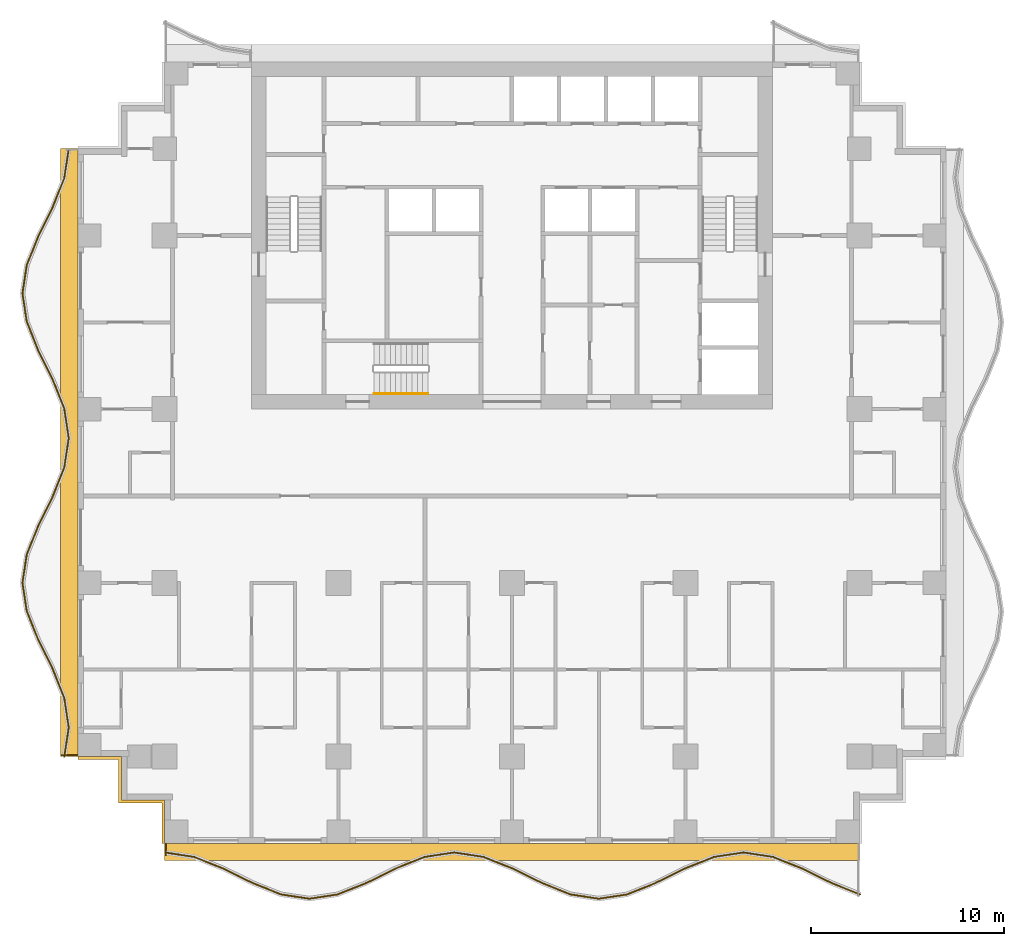
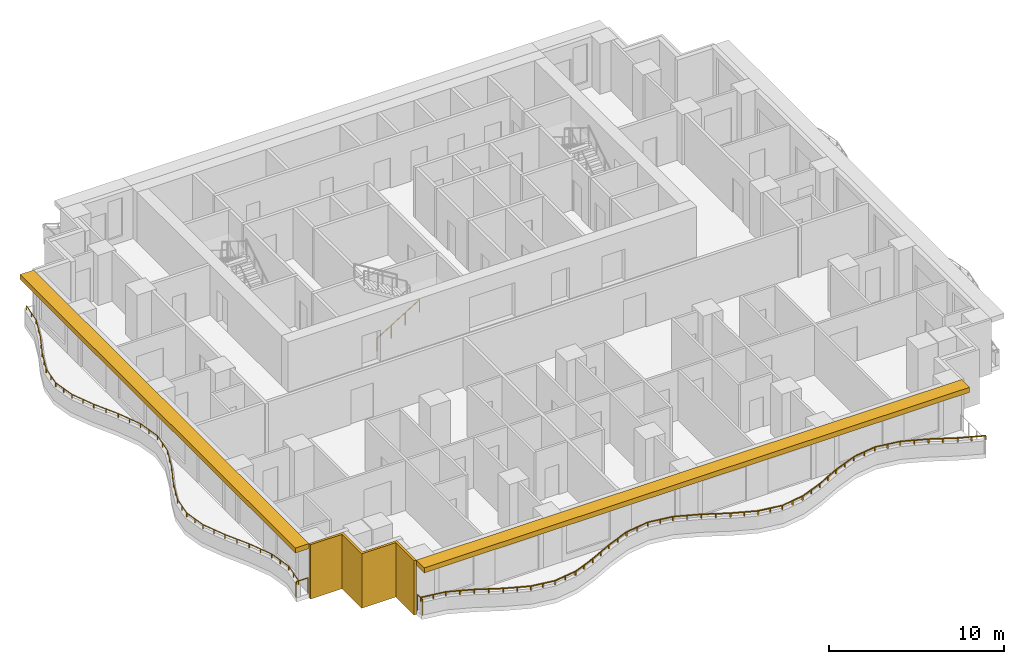
# One storey, part 7 of 10: 5 railings, 3 shading devices.
"""IFC4 building model written with IfcOpenShell, lengths in metres."""

from ifc_helpers import new_model, si_unit, direction, frame, origin, origin_2d, place, context, subcontext, project, spatial, polyline, rectangle, circle, outline, extrude, material, layer, layer_set, type_object, element, save


model = new_model("IFC4")

# Units and contexts
model_context = context("Model", 3, precision=1e-05, world=origin(), true_north=direction((0.0, 1.0)))
body_context = subcontext(model_context, "Body", "Model", "MODEL_VIEW")
ifc_project = project(units=[si_unit("LENGTHUNIT", "METRE"), si_unit("AREAUNIT", "SQUARE_METRE"), si_unit("VOLUMEUNIT", "CUBIC_METRE"), si_unit("PLANEANGLEUNIT", "RADIAN"), si_unit("MASSUNIT", "GRAM", prefix="KILO")], contexts=[model_context])

# Site, building, storey
site_placement = place(None, origin())
site = spatial("IfcSite", under=ifc_project, at=site_placement, CompositionType="ELEMENT")
building_placement = place(site_placement, origin())
building = spatial("IfcBuilding", under=site, at=building_placement, Name="Orbiselva Terraces", CompositionType="ELEMENT")
storey_placement = place(building_placement, frame((0.0, 0.0, 136.4)))
storey = spatial("IfcBuildingStorey", under=building, at=storey_placement, Name="L34", CompositionType="ELEMENT", Elevation=136.4)

# Railings
ifc_material_1 = material(Name="Stainless steel", Category="steel")
railing_type_1 = type_object("IfcRailingType", Name="CORE-HANDRAIL-900", PredefinedType="HANDRAIL", material=ifc_material_1)
railing_1_placement = place(storey_placement, frame((-7.15, 5.3, 0.172727)))
element("IfcRailing", 1, at=railing_1_placement, inside=storey, type_object=railing_type_1, Name="L34 S3 stair handrail 1", PredefinedType="HANDRAIL", context=body_context, shape_type="SweptSolid", body=[
    extrude(circle(Radius=0.024, at=origin_2d()), frame((0.0, 0.0, 0.876), z_axis=(0.851088519012, 0.0, 0.52502222125), x_axis=(0.0, 1.0, 0.0)), (0.0, 0.0, 1.0), 3.289905),
    extrude(circle(Radius=0.021, at=origin_2d()), origin(), (0.0, 0.0, 1.0), 0.852),
    extrude(circle(Radius=0.021, at=origin_2d()), frame((0.933333, 0.0, 0.575758)), (0.0, 0.0, 1.0), 0.852),
    extrude(circle(Radius=0.021, at=origin_2d()), frame((1.866667, 0.0, 1.151515)), (0.0, 0.0, 1.0), 0.852),
    extrude(circle(Radius=0.021, at=origin_2d()), frame((2.8, 0.0, 1.727273)), (0.0, 0.0, 1.0), 0.852),
])
ifc_material_2 = material(Name="Bonded two-ply safety glass balustrade, stainless steel posts", Category="steel")
railing_type_2 = type_object("IfcRailingType", Name="ENV-BALUSTRADE-1200", PredefinedType="BALUSTRADE", material=ifc_material_2)
railing_2_placement = place(storey_placement, frame((-17.981121, -18.476434, 0.9)))
element("IfcRailing", 2, at=railing_2_placement, inside=storey, type_object=railing_type_2, Name="Balcony balustrade L34 S", PredefinedType="BALUSTRADE", context=body_context, shape_type="SweptSolid", body=[
    extrude(outline(polyline([(0.028868, 0.0), (0.014434, 0.025), (-0.014434, 0.025), (-0.028868, 0.0), (-0.014434, -0.025), (0.014434, -0.025), (0.028868, 0.0)])), frame((0.0, 0.0, 0.275), z_axis=(0.988528588529, -0.151033869252, 0.0), x_axis=(0.151033869252, 0.988528588529, 0.0)), (0.0, 0.0, 1.0), 1.531776),
    extrude(outline(polyline([(0.028868, 0.0), (0.014434, 0.025), (-0.014434, 0.025), (-0.028868, 0.0), (-0.014434, -0.025), (0.014434, -0.025), (0.028868, 0.0)])), frame((1.514204, -0.23135, 0.275), z_axis=(0.92847681744, -0.371390359967, 0.0), x_axis=(0.371390359967, 0.92847681744, 0.0)), (0.0, 0.0, 1.0), 1.634838),
    extrude(outline(polyline([(0.028868, 0.0), (0.014434, 0.025), (-0.014434, 0.025), (-0.028868, 0.0), (-0.014434, -0.025), (0.014434, -0.025), (0.028868, 0.0)])), frame((3.032113, -0.838513, 0.275), z_axis=(0.896416672454, -0.443212307306, 0.0), x_axis=(0.443212307306, 0.896416672454, 0.0)), (0.0, 0.0, 1.0), 1.673329),
    extrude(outline(polyline([(0.028868, 0.0), (0.014434, 0.025), (-0.014434, 0.025), (-0.028868, 0.0), (-0.014434, -0.025), (0.014434, -0.025), (0.028868, 0.0)])), frame((4.532113, -1.580153, 0.275), z_axis=(0.928476561272, -0.371391000387, 0.0), x_axis=(0.371391000387, 0.928476561272, 0.0)), (0.0, 0.0, 1.0), 1.596261),
    extrude(outline(polyline([(0.028868, 0.0), (0.014434, 0.025), (-0.014434, 0.025), (-0.028868, 0.0), (-0.014434, -0.025), (0.014434, -0.025), (0.028868, 0.0)])), frame((6.014204, -2.17299, 0.275), z_axis=(0.988528606898, -0.151033749027, 0.0), x_axis=(0.151033749027, 0.988528606898, 0.0)), (0.0, 0.0, 1.0), 1.48394),
    extrude(outline(polyline([(0.028868, 0.0), (0.014434, 0.025), (-0.014434, 0.025), (-0.028868, 0.0), (-0.014434, -0.025), (0.014434, -0.025), (0.028868, 0.0)])), frame((7.481121, -2.397115, 0.275), z_axis=(0.988528606898, 0.151033749027, 0.0), x_axis=(-0.151033749027, 0.988528606898, 0.0)), (0.0, 0.0, 1.0), 1.48394),
    extrude(outline(polyline([(0.028868, 0.0), (0.014434, 0.025), (-0.014434, 0.025), (-0.028868, 0.0), (-0.014434, -0.025), (0.014434, -0.025), (0.028868, 0.0)])), frame((8.948038, -2.17299, 0.275), z_axis=(0.928476561272, 0.371391000387, 0.0), x_axis=(-0.371391000387, 0.928476561272, 0.0)), (0.0, 0.0, 1.0), 1.596261),
    extrude(outline(polyline([(0.028868, 0.0), (0.014434, 0.025), (-0.014434, 0.025), (-0.028868, 0.0), (-0.014434, -0.025), (0.014434, -0.025), (0.028868, 0.0)])), frame((10.430129, -1.580153, 0.275), z_axis=(0.896416672454, 0.443212307306, 0.0), x_axis=(-0.443212307306, 0.896416672454, 0.0)), (0.0, 0.0, 1.0), 1.673329),
    extrude(outline(polyline([(0.028868, 0.0), (0.014434, 0.025), (-0.014434, 0.025), (-0.028868, 0.0), (-0.014434, -0.025), (0.014434, -0.025), (0.028868, 0.0)])), frame((11.930129, -0.838513, 0.275), z_axis=(0.92847681744, 0.371390359967, 0.0), x_axis=(-0.371390359967, 0.92847681744, 0.0)), (0.0, 0.0, 1.0), 1.634838),
    extrude(outline(polyline([(0.028868, 0.0), (0.014434, 0.025), (-0.014434, 0.025), (-0.028868, 0.0), (-0.014434, -0.025), (0.014434, -0.025), (0.028868, 0.0)])), frame((13.448038, -0.23135, 0.275), z_axis=(0.988528536275, 0.151034211256, 0.0), x_axis=(-0.151034211256, 0.988528536275, 0.0)), (0.0, 0.0, 1.0), 1.550874),
    extrude(outline(polyline([(0.028868, 0.0), (0.014434, 0.025), (-0.014434, 0.025), (-0.028868, 0.0), (-0.014434, -0.025), (0.014434, -0.025), (0.028868, 0.0)])), frame((14.981121, 0.002885, 0.275), z_axis=(0.988528536275, -0.151034211256, 0.0), x_axis=(0.151034211256, 0.988528536275, 0.0)), (0.0, 0.0, 1.0), 1.550874),
    extrude(outline(polyline([(0.028868, 0.0), (0.014434, 0.025), (-0.014434, 0.025), (-0.028868, 0.0), (-0.014434, -0.025), (0.014434, -0.025), (0.028868, 0.0)])), frame((16.514204, -0.23135, 0.275), z_axis=(0.92847681744, -0.371390359967, 0.0), x_axis=(0.371390359967, 0.92847681744, 0.0)), (0.0, 0.0, 1.0), 1.634838),
    extrude(outline(polyline([(0.028868, 0.0), (0.014434, 0.025), (-0.014434, 0.025), (-0.028868, 0.0), (-0.014434, -0.025), (0.014434, -0.025), (0.028868, 0.0)])), frame((18.032113, -0.838513, 0.275), z_axis=(0.896416672454, -0.443212307306, 0.0), x_axis=(0.443212307306, 0.896416672454, 0.0)), (0.0, 0.0, 1.0), 1.673329),
    extrude(outline(polyline([(0.028868, 0.0), (0.014434, 0.025), (-0.014434, 0.025), (-0.028868, 0.0), (-0.014434, -0.025), (0.014434, -0.025), (0.028868, 0.0)])), frame((19.532113, -1.580153, 0.275), z_axis=(0.928476561272, -0.371391000387, 0.0), x_axis=(0.371391000387, 0.928476561272, 0.0)), (0.0, 0.0, 1.0), 1.596261),
    extrude(outline(polyline([(0.028868, 0.0), (0.014434, 0.025), (-0.014434, 0.025), (-0.028868, 0.0), (-0.014434, -0.025), (0.014434, -0.025), (0.028868, 0.0)])), frame((21.014204, -2.17299, 0.275), z_axis=(0.988528606898, -0.151033749027, 0.0), x_axis=(0.151033749027, 0.988528606898, 0.0)), (0.0, 0.0, 1.0), 1.48394),
    extrude(outline(polyline([(0.028868, 0.0), (0.014434, 0.025), (-0.014434, 0.025), (-0.028868, 0.0), (-0.014434, -0.025), (0.014434, -0.025), (0.028868, 0.0)])), frame((22.481121, -2.397115, 0.275), z_axis=(0.988528606898, 0.151033749027, 0.0), x_axis=(-0.151033749027, 0.988528606898, 0.0)), (0.0, 0.0, 1.0), 1.48394),
    extrude(outline(polyline([(0.028868, 0.0), (0.014434, 0.025), (-0.014434, 0.025), (-0.028868, 0.0), (-0.014434, -0.025), (0.014434, -0.025), (0.028868, 0.0)])), frame((23.948038, -2.17299, 0.275), z_axis=(0.928476561272, 0.371391000387, 0.0), x_axis=(-0.371391000387, 0.928476561272, 0.0)), (0.0, 0.0, 1.0), 1.596261),
    extrude(outline(polyline([(0.028868, 0.0), (0.014434, 0.025), (-0.014434, 0.025), (-0.028868, 0.0), (-0.014434, -0.025), (0.014434, -0.025), (0.028868, 0.0)])), frame((25.430129, -1.580153, 0.275), z_axis=(0.896416672454, 0.443212307306, 0.0), x_axis=(-0.443212307306, 0.896416672454, 0.0)), (0.0, 0.0, 1.0), 1.673329),
    extrude(outline(polyline([(0.028868, 0.0), (0.014434, 0.025), (-0.014434, 0.025), (-0.028868, 0.0), (-0.014434, -0.025), (0.014434, -0.025), (0.028868, 0.0)])), frame((26.930129, -0.838513, 0.275), z_axis=(0.92847681744, 0.371390359967, 0.0), x_axis=(-0.371390359967, 0.92847681744, 0.0)), (0.0, 0.0, 1.0), 1.634838),
    extrude(outline(polyline([(0.028868, 0.0), (0.014434, 0.025), (-0.014434, 0.025), (-0.028868, 0.0), (-0.014434, -0.025), (0.014434, -0.025), (0.028868, 0.0)])), frame((28.448038, -0.23135, 0.275), z_axis=(0.988528536275, 0.151034211256, 0.0), x_axis=(-0.151034211256, 0.988528536275, 0.0)), (0.0, 0.0, 1.0), 1.550874),
    extrude(outline(polyline([(0.028868, 0.0), (0.014434, 0.025), (-0.014434, 0.025), (-0.028868, 0.0), (-0.014434, -0.025), (0.014434, -0.025), (0.028868, 0.0)])), frame((29.981121, 0.002885, 0.275), z_axis=(0.988528536275, -0.151034211256, 0.0), x_axis=(0.151034211256, 0.988528536275, 0.0)), (0.0, 0.0, 1.0), 1.550874),
    extrude(outline(polyline([(0.028868, 0.0), (0.014434, 0.025), (-0.014434, 0.025), (-0.028868, 0.0), (-0.014434, -0.025), (0.014434, -0.025), (0.028868, 0.0)])), frame((31.514204, -0.23135, 0.275), z_axis=(0.92847681744, -0.371390359967, 0.0), x_axis=(0.371390359967, 0.92847681744, 0.0)), (0.0, 0.0, 1.0), 1.634838),
    extrude(outline(polyline([(0.028868, 0.0), (0.014434, 0.025), (-0.014434, 0.025), (-0.028868, 0.0), (-0.014434, -0.025), (0.014434, -0.025), (0.028868, 0.0)])), frame((33.032113, -0.838513, 0.275), z_axis=(0.896416672454, -0.443212307306, 0.0), x_axis=(0.443212307306, 0.896416672454, 0.0)), (0.0, 0.0, 1.0), 1.673329),
    extrude(outline(polyline([(0.028868, 0.0), (0.014434, 0.025), (-0.014434, 0.025), (-0.028868, 0.0), (-0.014434, -0.025), (0.014434, -0.025), (0.028868, 0.0)])), frame((34.532113, -1.580153, 0.275), z_axis=(0.928476648066, -0.371390783402, 0.0), x_axis=(0.371390783402, 0.928476648066, 0.0)), (0.0, 0.0, 1.0), 1.61063),
    extrude(rectangle(XDim=0.05, YDim=0.05, at=origin_2d()), origin(), (0.0, 0.0, 1.0), 0.25),
    extrude(rectangle(XDim=0.05, YDim=0.05, at=origin_2d()), frame((0.757102, -0.115675, 0.0)), (0.0, 0.0, 1.0), 0.25),
    extrude(rectangle(XDim=0.05, YDim=0.05, at=origin_2d()), frame((1.514204, -0.23135, 0.0)), (0.0, 0.0, 1.0), 0.25),
    extrude(rectangle(XDim=0.05, YDim=0.05, at=origin_2d()), frame((2.273159, -0.534931, 0.0)), (0.0, 0.0, 1.0), 0.25),
    extrude(rectangle(XDim=0.05, YDim=0.05, at=origin_2d()), frame((3.032113, -0.838513, 0.0)), (0.0, 0.0, 1.0), 0.25),
    extrude(rectangle(XDim=0.05, YDim=0.05, at=origin_2d()), frame((3.782113, -1.209333, 0.0)), (0.0, 0.0, 1.0), 0.25),
    extrude(rectangle(XDim=0.05, YDim=0.05, at=origin_2d()), frame((4.532113, -1.580153, 0.0)), (0.0, 0.0, 1.0), 0.25),
    extrude(rectangle(XDim=0.05, YDim=0.05, at=origin_2d()), frame((5.273159, -1.876571, 0.0)), (0.0, 0.0, 1.0), 0.25),
    extrude(rectangle(XDim=0.05, YDim=0.05, at=origin_2d()), frame((6.014204, -2.17299, 0.0)), (0.0, 0.0, 1.0), 0.25),
    extrude(rectangle(XDim=0.05, YDim=0.05, at=origin_2d()), frame((6.747663, -2.285052, 0.0)), (0.0, 0.0, 1.0), 0.25),
    extrude(rectangle(XDim=0.05, YDim=0.05, at=origin_2d()), frame((7.481121, -2.397115, 0.0)), (0.0, 0.0, 1.0), 0.25),
    extrude(rectangle(XDim=0.05, YDim=0.05, at=origin_2d()), frame((8.21458, -2.285052, 0.0)), (0.0, 0.0, 1.0), 0.25),
    extrude(rectangle(XDim=0.05, YDim=0.05, at=origin_2d()), frame((8.948038, -2.17299, 0.0)), (0.0, 0.0, 1.0), 0.25),
    extrude(rectangle(XDim=0.05, YDim=0.05, at=origin_2d()), frame((9.689084, -1.876571, 0.0)), (0.0, 0.0, 1.0), 0.25),
    extrude(rectangle(XDim=0.05, YDim=0.05, at=origin_2d()), frame((10.430129, -1.580153, 0.0)), (0.0, 0.0, 1.0), 0.25),
    extrude(rectangle(XDim=0.05, YDim=0.05, at=origin_2d()), frame((11.180129, -1.209333, 0.0)), (0.0, 0.0, 1.0), 0.25),
    extrude(rectangle(XDim=0.05, YDim=0.05, at=origin_2d()), frame((11.930129, -0.838513, 0.0)), (0.0, 0.0, 1.0), 0.25),
    extrude(rectangle(XDim=0.05, YDim=0.05, at=origin_2d()), frame((12.689084, -0.534931, 0.0)), (0.0, 0.0, 1.0), 0.25),
    extrude(rectangle(XDim=0.05, YDim=0.05, at=origin_2d()), frame((13.448038, -0.23135, 0.0)), (0.0, 0.0, 1.0), 0.25),
    extrude(rectangle(XDim=0.05, YDim=0.05, at=origin_2d()), frame((14.21458, -0.114232, 0.0)), (0.0, 0.0, 1.0), 0.25),
    extrude(rectangle(XDim=0.05, YDim=0.05, at=origin_2d()), frame((14.981121, 0.002885, 0.0)), (0.0, 0.0, 1.0), 0.25),
    extrude(rectangle(XDim=0.05, YDim=0.05, at=origin_2d()), frame((15.747663, -0.114232, 0.0)), (0.0, 0.0, 1.0), 0.25),
    extrude(rectangle(XDim=0.05, YDim=0.05, at=origin_2d()), frame((16.514204, -0.23135, 0.0)), (0.0, 0.0, 1.0), 0.25),
    extrude(rectangle(XDim=0.05, YDim=0.05, at=origin_2d()), frame((17.273158, -0.534931, 0.0)), (0.0, 0.0, 1.0), 0.25),
    extrude(rectangle(XDim=0.05, YDim=0.05, at=origin_2d()), frame((18.032113, -0.838513, 0.0)), (0.0, 0.0, 1.0), 0.25),
    extrude(rectangle(XDim=0.05, YDim=0.05, at=origin_2d()), frame((18.782113, -1.209333, 0.0)), (0.0, 0.0, 1.0), 0.25),
    extrude(rectangle(XDim=0.05, YDim=0.05, at=origin_2d()), frame((19.532113, -1.580153, 0.0)), (0.0, 0.0, 1.0), 0.25),
    extrude(rectangle(XDim=0.05, YDim=0.05, at=origin_2d()), frame((20.273158, -1.876571, 0.0)), (0.0, 0.0, 1.0), 0.25),
    extrude(rectangle(XDim=0.05, YDim=0.05, at=origin_2d()), frame((21.014204, -2.17299, 0.0)), (0.0, 0.0, 1.0), 0.25),
    extrude(rectangle(XDim=0.05, YDim=0.05, at=origin_2d()), frame((21.747663, -2.285052, 0.0)), (0.0, 0.0, 1.0), 0.25),
    extrude(rectangle(XDim=0.05, YDim=0.05, at=origin_2d()), frame((22.481121, -2.397115, 0.0)), (0.0, 0.0, 1.0), 0.25),
    extrude(rectangle(XDim=0.05, YDim=0.05, at=origin_2d()), frame((23.21458, -2.285052, 0.0)), (0.0, 0.0, 1.0), 0.25),
    extrude(rectangle(XDim=0.05, YDim=0.05, at=origin_2d()), frame((23.948038, -2.17299, 0.0)), (0.0, 0.0, 1.0), 0.25),
    extrude(rectangle(XDim=0.05, YDim=0.05, at=origin_2d()), frame((24.689084, -1.876571, 0.0)), (0.0, 0.0, 1.0), 0.25),
    extrude(rectangle(XDim=0.05, YDim=0.05, at=origin_2d()), frame((25.430129, -1.580153, 0.0)), (0.0, 0.0, 1.0), 0.25),
    extrude(rectangle(XDim=0.05, YDim=0.05, at=origin_2d()), frame((26.180129, -1.209333, 0.0)), (0.0, 0.0, 1.0), 0.25),
    extrude(rectangle(XDim=0.05, YDim=0.05, at=origin_2d()), frame((26.930129, -0.838513, 0.0)), (0.0, 0.0, 1.0), 0.25),
    extrude(rectangle(XDim=0.05, YDim=0.05, at=origin_2d()), frame((27.689084, -0.534931, 0.0)), (0.0, 0.0, 1.0), 0.25),
    extrude(rectangle(XDim=0.05, YDim=0.05, at=origin_2d()), frame((28.448038, -0.23135, 0.0)), (0.0, 0.0, 1.0), 0.25),
    extrude(rectangle(XDim=0.05, YDim=0.05, at=origin_2d()), frame((29.21458, -0.114232, 0.0)), (0.0, 0.0, 1.0), 0.25),
    extrude(rectangle(XDim=0.05, YDim=0.05, at=origin_2d()), frame((29.981121, 0.002885, 0.0)), (0.0, 0.0, 1.0), 0.25),
    extrude(rectangle(XDim=0.05, YDim=0.05, at=origin_2d()), frame((30.747662, -0.114232, 0.0)), (0.0, 0.0, 1.0), 0.25),
    extrude(rectangle(XDim=0.05, YDim=0.05, at=origin_2d()), frame((31.514204, -0.23135, 0.0)), (0.0, 0.0, 1.0), 0.25),
    extrude(rectangle(XDim=0.05, YDim=0.05, at=origin_2d()), frame((32.273158, -0.534931, 0.0)), (0.0, 0.0, 1.0), 0.25),
    extrude(rectangle(XDim=0.05, YDim=0.05, at=origin_2d()), frame((33.032113, -0.838513, 0.0)), (0.0, 0.0, 1.0), 0.25),
    extrude(rectangle(XDim=0.05, YDim=0.05, at=origin_2d()), frame((33.782113, -1.209333, 0.0)), (0.0, 0.0, 1.0), 0.25),
    extrude(rectangle(XDim=0.05, YDim=0.05, at=origin_2d()), frame((34.532113, -1.580153, 0.0)), (0.0, 0.0, 1.0), 0.25),
    extrude(rectangle(XDim=0.05, YDim=0.05, at=origin_2d()), frame((35.279829, -1.879239, 0.0)), (0.0, 0.0, 1.0), 0.25),
    extrude(rectangle(XDim=0.05, YDim=0.05, at=origin_2d()), frame((36.027545, -2.178326, 0.0)), (0.0, 0.0, 1.0), 0.25),
])
railing_3_placement = place(storey_placement, frame((-22.976434, 17.981121, 0.9)))
element("IfcRailing", 3, at=railing_3_placement, inside=storey, type_object=railing_type_2, Name="Balcony balustrade L34 W", PredefinedType="BALUSTRADE", context=body_context, shape_type="SweptSolid", body=[
    extrude(outline(polyline([(0.028868, 0.0), (0.014434, 0.025), (-0.014434, 0.025), (-0.028868, 0.0), (-0.014434, -0.025), (0.014434, -0.025), (0.028868, 0.0)])), frame((0.0, 0.0, 0.275), z_axis=(-0.151033869252, -0.988528588529, 0.0), x_axis=(0.988528588529, -0.151033869252, 0.0)), (0.0, 0.0, 1.0), 1.531776),
    extrude(outline(polyline([(0.028868, 0.0), (0.014434, 0.025), (-0.014434, 0.025), (-0.028868, 0.0), (-0.014434, -0.025), (0.014434, -0.025), (0.028868, 0.0)])), frame((-0.23135, -1.514204, 0.275), z_axis=(-0.371390359967, -0.92847681744, 0.0), x_axis=(0.92847681744, -0.371390359967, 0.0)), (0.0, 0.0, 1.0), 1.634838),
    extrude(outline(polyline([(0.028868, 0.0), (0.014434, 0.025), (-0.014434, 0.025), (-0.028868, 0.0), (-0.014434, -0.025), (0.014434, -0.025), (0.028868, 0.0)])), frame((-0.838513, -3.032113, 0.275), z_axis=(-0.443212307306, -0.896416672454, 0.0), x_axis=(0.896416672454, -0.443212307306, 0.0)), (0.0, 0.0, 1.0), 1.673329),
    extrude(outline(polyline([(0.028868, 0.0), (0.014434, 0.025), (-0.014434, 0.025), (-0.028868, 0.0), (-0.014434, -0.025), (0.014434, -0.025), (0.028868, 0.0)])), frame((-1.580153, -4.532113, 0.275), z_axis=(-0.371391000387, -0.928476561272, 0.0), x_axis=(0.928476561272, -0.371391000387, 0.0)), (0.0, 0.0, 1.0), 1.596261),
    extrude(outline(polyline([(0.028868, 0.0), (0.014434, 0.025), (-0.014434, 0.025), (-0.028868, 0.0), (-0.014434, -0.025), (0.014434, -0.025), (0.028868, 0.0)])), frame((-2.17299, -6.014204, 0.275), z_axis=(-0.151033749027, -0.988528606898, 0.0), x_axis=(0.988528606898, -0.151033749027, 0.0)), (0.0, 0.0, 1.0), 1.48394),
    extrude(outline(polyline([(0.028868, 0.0), (0.014434, 0.025), (-0.014434, 0.025), (-0.028868, 0.0), (-0.014434, -0.025), (0.014434, -0.025), (0.028868, 0.0)])), frame((-2.397115, -7.481121, 0.275), z_axis=(0.151033749027, -0.988528606898, 0.0), x_axis=(0.988528606898, 0.151033749027, 0.0)), (0.0, 0.0, 1.0), 1.48394),
    extrude(outline(polyline([(0.028868, 0.0), (0.014434, 0.025), (-0.014434, 0.025), (-0.028868, 0.0), (-0.014434, -0.025), (0.014434, -0.025), (0.028868, 0.0)])), frame((-2.17299, -8.948038, 0.275), z_axis=(0.371391000387, -0.928476561272, 0.0), x_axis=(0.928476561272, 0.371391000387, 0.0)), (0.0, 0.0, 1.0), 1.596261),
    extrude(outline(polyline([(0.028868, 0.0), (0.014434, 0.025), (-0.014434, 0.025), (-0.028868, 0.0), (-0.014434, -0.025), (0.014434, -0.025), (0.028868, 0.0)])), frame((-1.580153, -10.430129, 0.275), z_axis=(0.443212307306, -0.896416672454, 0.0), x_axis=(0.896416672454, 0.443212307306, 0.0)), (0.0, 0.0, 1.0), 1.673329),
    extrude(outline(polyline([(0.028868, 0.0), (0.014434, 0.025), (-0.014434, 0.025), (-0.028868, 0.0), (-0.014434, -0.025), (0.014434, -0.025), (0.028868, 0.0)])), frame((-0.838513, -11.930129, 0.275), z_axis=(0.371390359967, -0.92847681744, 0.0), x_axis=(0.92847681744, 0.371390359967, 0.0)), (0.0, 0.0, 1.0), 1.634838),
    extrude(outline(polyline([(0.028868, 0.0), (0.014434, 0.025), (-0.014434, 0.025), (-0.028868, 0.0), (-0.014434, -0.025), (0.014434, -0.025), (0.028868, 0.0)])), frame((-0.23135, -13.448038, 0.275), z_axis=(0.151034211256, -0.988528536275, 0.0), x_axis=(0.988528536275, 0.151034211256, 0.0)), (0.0, 0.0, 1.0), 1.550874),
    extrude(outline(polyline([(0.028868, 0.0), (0.014434, 0.025), (-0.014434, 0.025), (-0.028868, 0.0), (-0.014434, -0.025), (0.014434, -0.025), (0.028868, 0.0)])), frame((0.002885, -14.981121, 0.275), z_axis=(-0.151034211256, -0.988528536275, 0.0), x_axis=(0.988528536275, -0.151034211256, 0.0)), (0.0, 0.0, 1.0), 1.550874),
    extrude(outline(polyline([(0.028868, 0.0), (0.014434, 0.025), (-0.014434, 0.025), (-0.028868, 0.0), (-0.014434, -0.025), (0.014434, -0.025), (0.028868, 0.0)])), frame((-0.23135, -16.514204, 0.275), z_axis=(-0.371390359967, -0.92847681744, 0.0), x_axis=(0.92847681744, -0.371390359967, 0.0)), (0.0, 0.0, 1.0), 1.634838),
    extrude(outline(polyline([(0.028868, 0.0), (0.014434, 0.025), (-0.014434, 0.025), (-0.028868, 0.0), (-0.014434, -0.025), (0.014434, -0.025), (0.028868, 0.0)])), frame((-0.838513, -18.032113, 0.275), z_axis=(-0.443212307306, -0.896416672454, 0.0), x_axis=(0.896416672454, -0.443212307306, 0.0)), (0.0, 0.0, 1.0), 1.673329),
    extrude(outline(polyline([(0.028868, 0.0), (0.014434, 0.025), (-0.014434, 0.025), (-0.028868, 0.0), (-0.014434, -0.025), (0.014434, -0.025), (0.028868, 0.0)])), frame((-1.580153, -19.532113, 0.275), z_axis=(-0.371391000387, -0.928476561272, 0.0), x_axis=(0.928476561272, -0.371391000387, 0.0)), (0.0, 0.0, 1.0), 1.596261),
    extrude(outline(polyline([(0.028868, 0.0), (0.014434, 0.025), (-0.014434, 0.025), (-0.028868, 0.0), (-0.014434, -0.025), (0.014434, -0.025), (0.028868, 0.0)])), frame((-2.17299, -21.014204, 0.275), z_axis=(-0.151033749027, -0.988528606898, 0.0), x_axis=(0.988528606898, -0.151033749027, 0.0)), (0.0, 0.0, 1.0), 1.48394),
    extrude(outline(polyline([(0.028868, 0.0), (0.014434, 0.025), (-0.014434, 0.025), (-0.028868, 0.0), (-0.014434, -0.025), (0.014434, -0.025), (0.028868, 0.0)])), frame((-2.397115, -22.481121, 0.275), z_axis=(0.151033749027, -0.988528606898, 0.0), x_axis=(0.988528606898, 0.151033749027, 0.0)), (0.0, 0.0, 1.0), 1.48394),
    extrude(outline(polyline([(0.028868, 0.0), (0.014434, 0.025), (-0.014434, 0.025), (-0.028868, 0.0), (-0.014434, -0.025), (0.014434, -0.025), (0.028868, 0.0)])), frame((-2.17299, -23.948038, 0.275), z_axis=(0.371391000387, -0.928476561272, 0.0), x_axis=(0.928476561272, 0.371391000387, 0.0)), (0.0, 0.0, 1.0), 1.596261),
    extrude(outline(polyline([(0.028868, 0.0), (0.014434, 0.025), (-0.014434, 0.025), (-0.028868, 0.0), (-0.014434, -0.025), (0.014434, -0.025), (0.028868, 0.0)])), frame((-1.580153, -25.430129, 0.275), z_axis=(0.443212307306, -0.896416672454, 0.0), x_axis=(0.896416672454, 0.443212307306, 0.0)), (0.0, 0.0, 1.0), 1.673329),
    extrude(outline(polyline([(0.028868, 0.0), (0.014434, 0.025), (-0.014434, 0.025), (-0.028868, 0.0), (-0.014434, -0.025), (0.014434, -0.025), (0.028868, 0.0)])), frame((-0.838513, -26.930129, 0.275), z_axis=(0.371390359967, -0.92847681744, 0.0), x_axis=(0.92847681744, 0.371390359967, 0.0)), (0.0, 0.0, 1.0), 1.634838),
    extrude(outline(polyline([(0.028868, 0.0), (0.014434, 0.025), (-0.014434, 0.025), (-0.028868, 0.0), (-0.014434, -0.025), (0.014434, -0.025), (0.028868, 0.0)])), frame((-0.23135, -28.448038, 0.275), z_axis=(0.151034211256, -0.988528536275, 0.0), x_axis=(0.988528536275, 0.151034211256, 0.0)), (0.0, 0.0, 1.0), 1.550874),
    extrude(outline(polyline([(0.028868, 0.0), (0.014434, 0.025), (-0.014434, 0.025), (-0.028868, 0.0), (-0.014434, -0.025), (0.014434, -0.025), (0.028868, 0.0)])), frame((0.002885, -29.981121, 0.275), z_axis=(-0.151034328999, -0.988528518286, 0.0), x_axis=(0.988528518286, -0.151034328999, 0.0)), (0.0, 0.0, 1.0), 1.536505),
    extrude(rectangle(XDim=0.05, YDim=0.05, at=origin_2d()), origin(), (0.0, 0.0, 1.0), 0.25),
    extrude(rectangle(XDim=0.05, YDim=0.05, at=origin_2d()), frame((-0.115675, -0.757102, 0.0)), (0.0, 0.0, 1.0), 0.25),
    extrude(rectangle(XDim=0.05, YDim=0.05, at=origin_2d()), frame((-0.23135, -1.514204, 0.0)), (0.0, 0.0, 1.0), 0.25),
    extrude(rectangle(XDim=0.05, YDim=0.05, at=origin_2d()), frame((-0.534931, -2.273159, 0.0)), (0.0, 0.0, 1.0), 0.25),
    extrude(rectangle(XDim=0.05, YDim=0.05, at=origin_2d()), frame((-0.838513, -3.032113, 0.0)), (0.0, 0.0, 1.0), 0.25),
    extrude(rectangle(XDim=0.05, YDim=0.05, at=origin_2d()), frame((-1.209333, -3.782113, 0.0)), (0.0, 0.0, 1.0), 0.25),
    extrude(rectangle(XDim=0.05, YDim=0.05, at=origin_2d()), frame((-1.580153, -4.532113, 0.0)), (0.0, 0.0, 1.0), 0.25),
    extrude(rectangle(XDim=0.05, YDim=0.05, at=origin_2d()), frame((-1.876571, -5.273159, 0.0)), (0.0, 0.0, 1.0), 0.25),
    extrude(rectangle(XDim=0.05, YDim=0.05, at=origin_2d()), frame((-2.17299, -6.014204, 0.0)), (0.0, 0.0, 1.0), 0.25),
    extrude(rectangle(XDim=0.05, YDim=0.05, at=origin_2d()), frame((-2.285052, -6.747663, 0.0)), (0.0, 0.0, 1.0), 0.25),
    extrude(rectangle(XDim=0.05, YDim=0.05, at=origin_2d()), frame((-2.397115, -7.481121, 0.0)), (0.0, 0.0, 1.0), 0.25),
    extrude(rectangle(XDim=0.05, YDim=0.05, at=origin_2d()), frame((-2.285052, -8.21458, 0.0)), (0.0, 0.0, 1.0), 0.25),
    extrude(rectangle(XDim=0.05, YDim=0.05, at=origin_2d()), frame((-2.17299, -8.948038, 0.0)), (0.0, 0.0, 1.0), 0.25),
    extrude(rectangle(XDim=0.05, YDim=0.05, at=origin_2d()), frame((-1.876571, -9.689084, 0.0)), (0.0, 0.0, 1.0), 0.25),
    extrude(rectangle(XDim=0.05, YDim=0.05, at=origin_2d()), frame((-1.580153, -10.430129, 0.0)), (0.0, 0.0, 1.0), 0.25),
    extrude(rectangle(XDim=0.05, YDim=0.05, at=origin_2d()), frame((-1.209333, -11.180129, 0.0)), (0.0, 0.0, 1.0), 0.25),
    extrude(rectangle(XDim=0.05, YDim=0.05, at=origin_2d()), frame((-0.838513, -11.930129, 0.0)), (0.0, 0.0, 1.0), 0.25),
    extrude(rectangle(XDim=0.05, YDim=0.05, at=origin_2d()), frame((-0.534931, -12.689084, 0.0)), (0.0, 0.0, 1.0), 0.25),
    extrude(rectangle(XDim=0.05, YDim=0.05, at=origin_2d()), frame((-0.23135, -13.448038, 0.0)), (0.0, 0.0, 1.0), 0.25),
    extrude(rectangle(XDim=0.05, YDim=0.05, at=origin_2d()), frame((-0.114232, -14.21458, 0.0)), (0.0, 0.0, 1.0), 0.25),
    extrude(rectangle(XDim=0.05, YDim=0.05, at=origin_2d()), frame((0.002885, -14.981121, 0.0)), (0.0, 0.0, 1.0), 0.25),
    extrude(rectangle(XDim=0.05, YDim=0.05, at=origin_2d()), frame((-0.114232, -15.747663, 0.0)), (0.0, 0.0, 1.0), 0.25),
    extrude(rectangle(XDim=0.05, YDim=0.05, at=origin_2d()), frame((-0.23135, -16.514204, 0.0)), (0.0, 0.0, 1.0), 0.25),
    extrude(rectangle(XDim=0.05, YDim=0.05, at=origin_2d()), frame((-0.534931, -17.273158, 0.0)), (0.0, 0.0, 1.0), 0.25),
    extrude(rectangle(XDim=0.05, YDim=0.05, at=origin_2d()), frame((-0.838513, -18.032113, 0.0)), (0.0, 0.0, 1.0), 0.25),
    extrude(rectangle(XDim=0.05, YDim=0.05, at=origin_2d()), frame((-1.209333, -18.782113, 0.0)), (0.0, 0.0, 1.0), 0.25),
    extrude(rectangle(XDim=0.05, YDim=0.05, at=origin_2d()), frame((-1.580153, -19.532113, 0.0)), (0.0, 0.0, 1.0), 0.25),
    extrude(rectangle(XDim=0.05, YDim=0.05, at=origin_2d()), frame((-1.876571, -20.273158, 0.0)), (0.0, 0.0, 1.0), 0.25),
    extrude(rectangle(XDim=0.05, YDim=0.05, at=origin_2d()), frame((-2.17299, -21.014204, 0.0)), (0.0, 0.0, 1.0), 0.25),
    extrude(rectangle(XDim=0.05, YDim=0.05, at=origin_2d()), frame((-2.285052, -21.747663, 0.0)), (0.0, 0.0, 1.0), 0.25),
    extrude(rectangle(XDim=0.05, YDim=0.05, at=origin_2d()), frame((-2.397115, -22.481121, 0.0)), (0.0, 0.0, 1.0), 0.25),
    extrude(rectangle(XDim=0.05, YDim=0.05, at=origin_2d()), frame((-2.285052, -23.21458, 0.0)), (0.0, 0.0, 1.0), 0.25),
    extrude(rectangle(XDim=0.05, YDim=0.05, at=origin_2d()), frame((-2.17299, -23.948038, 0.0)), (0.0, 0.0, 1.0), 0.25),
    extrude(rectangle(XDim=0.05, YDim=0.05, at=origin_2d()), frame((-1.876571, -24.689084, 0.0)), (0.0, 0.0, 1.0), 0.25),
    extrude(rectangle(XDim=0.05, YDim=0.05, at=origin_2d()), frame((-1.580153, -25.430129, 0.0)), (0.0, 0.0, 1.0), 0.25),
    extrude(rectangle(XDim=0.05, YDim=0.05, at=origin_2d()), frame((-1.209333, -26.180129, 0.0)), (0.0, 0.0, 1.0), 0.25),
    extrude(rectangle(XDim=0.05, YDim=0.05, at=origin_2d()), frame((-0.838513, -26.930129, 0.0)), (0.0, 0.0, 1.0), 0.25),
    extrude(rectangle(XDim=0.05, YDim=0.05, at=origin_2d()), frame((-0.534931, -27.689084, 0.0)), (0.0, 0.0, 1.0), 0.25),
    extrude(rectangle(XDim=0.05, YDim=0.05, at=origin_2d()), frame((-0.23135, -28.448038, 0.0)), (0.0, 0.0, 1.0), 0.25),
    extrude(rectangle(XDim=0.05, YDim=0.05, at=origin_2d()), frame((-0.114232, -29.21458, 0.0)), (0.0, 0.0, 1.0), 0.25),
    extrude(rectangle(XDim=0.05, YDim=0.05, at=origin_2d()), frame((0.002885, -29.981121, 0.0)), (0.0, 0.0, 1.0), 0.25),
    extrude(rectangle(XDim=0.05, YDim=0.05, at=origin_2d()), frame((-0.113147, -30.74056, 0.0)), (0.0, 0.0, 1.0), 0.25),
    extrude(rectangle(XDim=0.05, YDim=0.05, at=origin_2d()), frame((-0.22918, -31.5, 0.0)), (0.0, 0.0, 1.0), 0.25),
])
ifc_material_3 = material(Name="Stainless steel rail and posts", Category="steel")
railing_type_3 = type_object("IfcRailingType", Name="ENV-GUARD-1105", PredefinedType="BALUSTRADE", material=ifc_material_3)
railing_4_placement = place(storey_placement, frame((-17.94, -18.600379, 0.0)))
element("IfcRailing", 4, at=railing_4_placement, inside=storey, type_object=railing_type_3, Name="Balcony end guard L34 S", PredefinedType="BALUSTRADE", context=body_context, shape_type="SweptSolid", body=[
    extrude(outline(polyline([(0.028868, 0.0), (0.014434, 0.025), (-0.014434, 0.025), (-0.028868, 0.0), (-0.014434, -0.025), (0.014434, -0.025), (0.028868, 0.0)])), frame((0.0, 0.0, 1.08), z_axis=(0.0, 1.0, 0.0), x_axis=(-1.0, 0.0, 0.0)), (0.0, 0.0, 1.0), 0.575379),
    extrude(rectangle(XDim=0.05, YDim=0.05, at=origin_2d()), origin(), (0.0, 0.0, 1.0), 1.055),
    extrude(rectangle(XDim=0.05, YDim=0.05, at=origin_2d()), frame((0.0, 0.575379, 0.0)), (0.0, 0.0, 1.0), 1.055),
])
railing_5_placement = place(storey_placement, frame((-23.311761, -13.44, 0.0)))
element("IfcRailing", 5, at=railing_5_placement, inside=storey, type_object=railing_type_3, Name="Balcony end guard L34 W", PredefinedType="BALUSTRADE", context=body_context, shape_type="SweptSolid", body=[
    extrude(outline(polyline([(0.028868, 0.0), (0.014434, 0.025), (-0.014434, 0.025), (-0.028868, 0.0), (-0.014434, -0.025), (0.014434, -0.025), (0.028868, 0.0)])), frame((0.0, 0.0, 1.08), z_axis=(1.0, 0.0, 0.0), x_axis=(0.0, 1.0, 0.0)), (0.0, 0.0, 1.0), 0.786761),
    extrude(rectangle(XDim=0.05, YDim=0.05, at=origin_2d()), origin(), (0.0, 0.0, 1.0), 1.055),
    extrude(rectangle(XDim=0.05, YDim=0.05, at=origin_2d()), frame((0.786761, 0.0, 0.0)), (0.0, 0.0, 1.0), 1.055),
])

# Shading devices
ifc_material_4 = material(Name="Terracotta louvre screen", Category="masonry")
ifc_layer_1 = layer(ifc_material_4, 0.15)
ifc_layer_set_1 = layer_set([ifc_layer_1], Name="Terracotta louvre screen")
shading_device_type_1 = type_object("IfcShadingDeviceType", Name="ENV-SCREEN-150", PredefinedType="USERDEFINED", material=ifc_layer_set_1)
shading_device_1_placement = place(storey_placement, frame((0.0, 0.0, -0.3)))
element("IfcShadingDevice", 6, at=shading_device_1_placement, inside=storey, type_object=shading_device_type_1, Name="Louvre screen L34 SW", ObjectType="SCREEN", PredefinedType="USERDEFINED", context=body_context, shape_type="SweptSolid", body=[
    extrude(outline(polyline([(-22.5, -13.65), (-20.4, -13.65), (-20.4, -15.9), (-18.15, -15.9), (-18.15, -18.0), (-18.0, -18.0), (-18.0, -15.75), (-20.25, -15.75), (-20.25, -13.5), (-22.5, -13.5), (-22.5, -13.65)])), origin(), (0.0, 0.0, 1.0), 3.8),
])
ifc_material_5 = material(Name="Terracotta baguette sunshade", Category="masonry")
ifc_layer_2 = layer(ifc_material_5, 0.35)
ifc_layer_set_2 = layer_set([ifc_layer_2], Name="Terracotta baguette sunshade")
shading_device_type_2 = type_object("IfcShadingDeviceType", Name="ENV-SUNSHADE-900x350", PredefinedType="USERDEFINED", material=ifc_layer_set_2)
shading_device_2_placement = place(storey_placement, frame((0.0, 0.0, 3.15)))
element("IfcShadingDevice", 7, at=shading_device_2_placement, inside=storey, type_object=shading_device_type_2, Name="Sunshade band L34 S", ObjectType="SUNSHADE", PredefinedType="USERDEFINED", context=body_context, shape_type="SweptSolid", body=[
    extrude(outline(polyline([(-18.0, -18.9), (18.0, -18.9), (18.0, -18.0), (-18.0, -18.0), (-18.0, -18.9)])), origin(), (0.0, 0.0, 1.0), 0.35),
])
shading_device_3_placement = place(storey_placement, frame((0.0, 0.0, 3.15)))
element("IfcShadingDevice", 8, at=shading_device_3_placement, inside=storey, type_object=shading_device_type_2, Name="Sunshade band L34 W", ObjectType="SUNSHADE", PredefinedType="USERDEFINED", context=body_context, shape_type="SweptSolid", body=[
    extrude(outline(polyline([(-23.4, 18.0), (-23.4, -13.5), (-22.5, -13.5), (-22.5, 18.0), (-23.4, 18.0)])), origin(), (0.0, 0.0, 1.0), 0.35),
])

save(model, "model.ifc")
